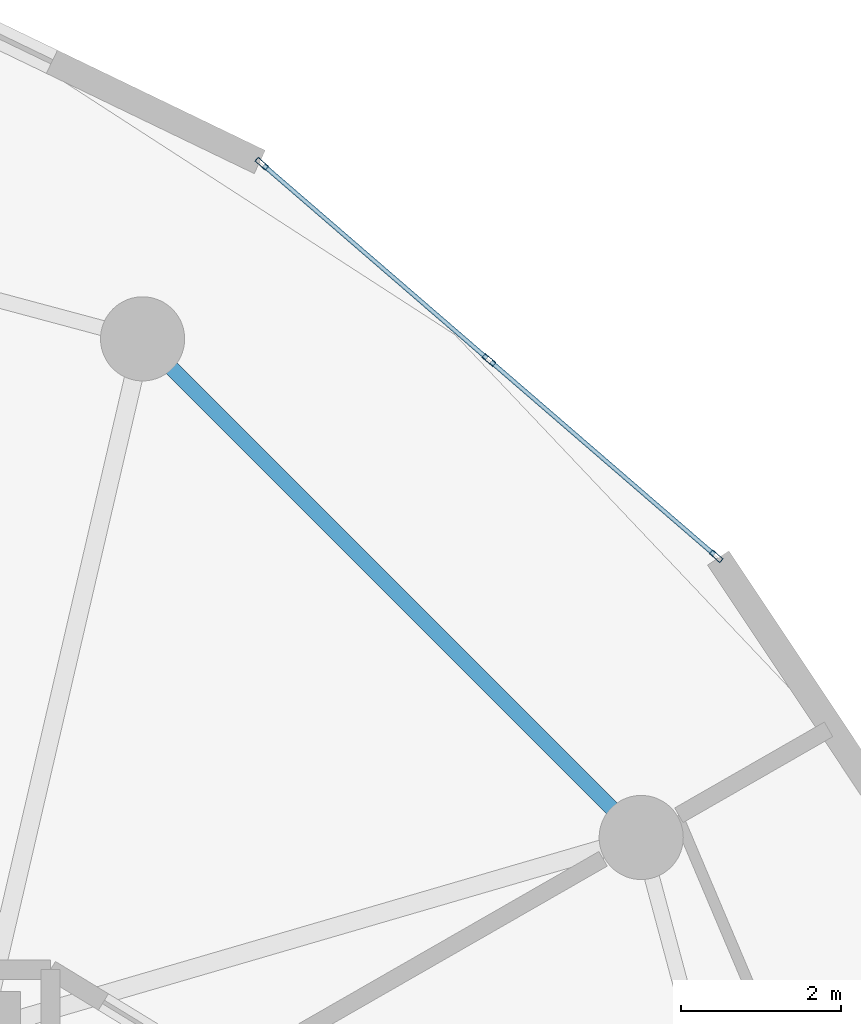
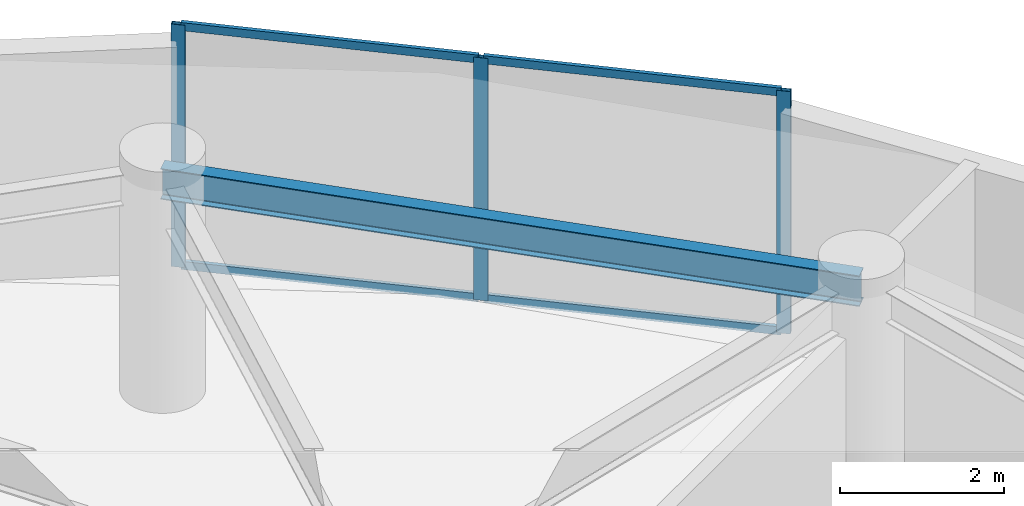
# One storey, part 19 of 26: 7 members, 1 beam, 1 element without a shape of its own.
"""IFC4 building model written with IfcOpenShell, lengths in metres."""

import ifcopenshell
import ifcopenshell.guid

model = None  # the IFC model being written
_history = None  # IfcOwnerHistory: only IFC2X3 demands one
_inside = {}  # id of a spatial element -> (the spatial element, [elements in it])
_under = {}  # id of a project, library or spatial element -> (it, [spatial elements below it])
_declared = {}  # id of a project -> (the project, [libraries it declares])
_typed = {}  # id of a type object -> (the type object, [elements of that type])
_made_of = {}  # id of a material, layer set ... -> (it, [elements and type objects made of it])


def new_model(schema):
    """Start an empty IFC model of exactly this schema.

    Asked for "IFC4X3", IfcOpenShell would pick the latest addendum, in which some entities
    have other attributes; the version numbers below select the first issue.
    IFC2X3 requires an IfcOwnerHistory on every rooted entity: one is made here for all.
    """
    global model, _history
    if schema == "IFC4X3":
        model = ifcopenshell.file(schema_version=(4, 3, 0, 0))
    else:
        model = ifcopenshell.file(schema=schema)
    _inside.clear()
    _under.clear()
    _declared.clear()
    _typed.clear()
    _made_of.clear()
    _history = None
    if model.schema == "IFC2X3":
        org = make("IfcOrganization", Name="unknown")
        user = make(
            "IfcPersonAndOrganization",
            ThePerson=make("IfcPerson", FamilyName="unknown"),
            TheOrganization=org,
        )
        app = make(
            "IfcApplication",
            ApplicationDeveloper=org,
            Version="unknown",
            ApplicationFullName="unknown",
            ApplicationIdentifier="unknown",
        )
        _history = make(
            "IfcOwnerHistory",
            OwningUser=user,
            OwningApplication=app,
            ChangeAction="ADDED",
            CreationDate=0,
        )
    return model


def make(cls, **values):
    """One entity of the class cls with the attributes given. An attribute that is None is left unset."""
    return model.create_entity(
        cls, **{name: value for name, value in values.items() if value is not None}
    )


def rooted(cls, **values):
    """An entity with a GlobalId (a new one), such as an element, a storey or a relation."""
    return make(cls, GlobalId=ifcopenshell.guid.new(), OwnerHistory=_history, **values)


def si_unit(unit_type, name, prefix=None):
    """IfcSIUnit, for example si_unit("LENGTHUNIT", "METRE", prefix="MILLI")."""
    return make("IfcSIUnit", UnitType=unit_type, Prefix=prefix, Name=name)


def assignment(units):
    """IfcUnitAssignment: the units of a project."""
    return None if units is None else make("IfcUnitAssignment", Units=units)


def point(xyz):
    """IfcCartesianPoint."""
    return None if xyz is None else make("IfcCartesianPoint", Coordinates=xyz)


def direction(xyz):
    """IfcDirection."""
    return None if xyz is None else make("IfcDirection", DirectionRatios=xyz)


def frame(location, z_axis=None, x_axis=None):
    """IfcAxis2Placement3D, a coordinate frame: its origin and axes. An axis left out is left unset."""
    return make(
        "IfcAxis2Placement3D",
        Location=point(location),
        Axis=direction(z_axis),
        RefDirection=direction(x_axis),
    )


def frame_2d(location, x_axis=None):
    """IfcAxis2Placement2D, a coordinate frame in the plane: its origin and x axis."""
    return make(
        "IfcAxis2Placement2D", Location=point(location), RefDirection=direction(x_axis)
    )


def origin():
    """The frame at (0, 0, 0) with its axes left unset."""
    return frame((0.0, 0.0, 0.0))


def origin_2d():
    """The frame at (0, 0) in the plane with its x axis left unset."""
    return frame_2d((0.0, 0.0))


def place(relative_to, where):
    """IfcLocalPlacement: puts the frame where relative to a parent placement (None: the world)."""
    return make(
        "IfcLocalPlacement", PlacementRelTo=relative_to, RelativePlacement=where
    )


def context(
    kind, dimensions, precision=None, world=None, true_north=None, identifier=None
):
    """IfcGeometricRepresentationContext, for example the 3D "Model" context."""
    return make(
        "IfcGeometricRepresentationContext",
        ContextIdentifier=identifier,
        ContextType=kind,
        CoordinateSpaceDimension=dimensions,
        Precision=precision,
        WorldCoordinateSystem=world,
        TrueNorth=true_north,
    )


def subcontext(parent, identifier, kind, view, scale=None):
    """IfcGeometricRepresentationSubContext, for example "Body" below "Model"."""
    return make(
        "IfcGeometricRepresentationSubContext",
        ContextIdentifier=identifier,
        ContextType=kind,
        ParentContext=parent,
        TargetScale=scale,
        TargetView=view,
    )


def project(units=None, contexts=None):
    """IfcProject with its units and contexts."""
    return rooted(
        "IfcProject",
        Name="project",
        RepresentationContexts=contexts,
        UnitsInContext=assignment(units),
    )


def spatial(cls, under=None, at=None, **own):
    """A site, building, storey or space (cls), placed at a placement, below another one or the project."""
    s = rooted(cls, ObjectPlacement=at, **own)
    if under is not None:
        _under.setdefault(under.id(), (under, []))[1].append(s)
    return s


def profile(cls, at=None, kind="AREA", **sizes):
    """A parametric profile (cls). Its sizes go by their IFC names, for example OverallWidth=200.0."""
    return make(cls, ProfileType=kind, Position=at, **sizes)


def hollow_rectangle(**sizes):
    """IfcRectangleHollowProfileDef."""
    return profile("IfcRectangleHollowProfileDef", **sizes)


def i_section(**sizes):
    """IfcIShapeProfileDef."""
    return profile("IfcIShapeProfileDef", **sizes)


def extrude(swept, where, along, depth):
    """IfcExtrudedAreaSolid: the profile swept, set in the frame where, extruded along a direction by depth."""
    return make(
        "IfcExtrudedAreaSolid",
        SweptArea=swept,
        Position=where,
        ExtrudedDirection=direction(along),
        Depth=depth,
    )


def shape(context_of_items, identifier, shape_type, items):
    """IfcShapeRepresentation: the items that make up one representation, for example the "Body"."""
    return make(
        "IfcShapeRepresentation",
        ContextOfItems=context_of_items,
        RepresentationIdentifier=identifier,
        RepresentationType=shape_type,
        Items=items,
    )


def source(mapping_origin, context_of_items, identifier, shape_type, items):
    """IfcRepresentationMap: a shape defined once, which mapped items show again and again."""
    return make(
        "IfcRepresentationMap",
        MappingOrigin=mapping_origin,
        MappedRepresentation=shape(context_of_items, identifier, shape_type, items),
    )


def transform(
    local_origin,
    x_axis=None,
    y_axis=None,
    z_axis=None,
    scale=None,
    scale2=None,
    scale3=None,
    uniform=True,
):
    """IfcCartesianTransformationOperator3D, or its non-uniform kind. x_axis, y_axis, z_axis: its Axis1, 2, 3."""
    if uniform:
        return make(
            "IfcCartesianTransformationOperator3D",
            Axis1=direction(x_axis),
            Axis2=direction(y_axis),
            LocalOrigin=point(local_origin),
            Scale=scale,
            Axis3=direction(z_axis),
        )
    return make(
        "IfcCartesianTransformationOperator3DnonUniform",
        Axis1=direction(x_axis),
        Axis2=direction(y_axis),
        LocalOrigin=point(local_origin),
        Scale=scale,
        Axis3=direction(z_axis),
        Scale2=scale2,
        Scale3=scale3,
    )


def mapped(mapping_source, mapping_target):
    """IfcMappedItem: shows the shape of a source again, moved by a transform."""
    return make(
        "IfcMappedItem", MappingSource=mapping_source, MappingTarget=mapping_target
    )


def material(Name=None, Category=None):
    """IfcMaterial."""
    return make("IfcMaterial", Name=Name, Category=Category)


def layer(
    of_material, thickness, ventilated=None, Name=None, Category=None, Priority=None
):
    """IfcMaterialLayer: one layer of a wall or slab, of a material (None: an air gap)."""
    return make(
        "IfcMaterialLayer",
        Material=of_material,
        LayerThickness=thickness,
        IsVentilated=ventilated,
        Name=Name,
        Category=Category,
        Priority=Priority,
    )


def layer_set(layers, Name=None):
    """IfcMaterialLayerSet."""
    return make("IfcMaterialLayerSet", MaterialLayers=layers, LayerSetName=Name)


def material_profile(
    of_material, cross_section, Name=None, Category=None, Priority=None
):
    """IfcMaterialProfile: a cross section and its material."""
    return make(
        "IfcMaterialProfile",
        Name=Name,
        Material=of_material,
        Profile=cross_section,
        Priority=Priority,
        Category=Category,
    )


def profile_set(profiles, Name=None, composite=None):
    """IfcMaterialProfileSet."""
    return make(
        "IfcMaterialProfileSet",
        Name=Name,
        MaterialProfiles=profiles,
        CompositeProfile=composite,
    )


def made_of(thing, what):
    """Note that an element or type object is made of a material, layer set ...; save() writes the relation."""
    if what is not None:
        _made_of.setdefault(what.id(), (what, []))[1].append(thing)
    return thing


def type_object(cls, material=None, **own):
    """A type object (cls), such as IfcWallType, which elements share."""
    return made_of(rooted(cls, **own), material)


def element(
    cls,
    number,
    at=None,
    inside=None,
    cuts=None,
    type_object=None,
    material=None,
    context=None,
    identifier="Body",
    shape_type=None,
    held_by="IfcProductDefinitionShape",
    body=None,
    shapes=None,
    **own,
):
    """One element of the class cls, such as IfcWall. Its Tag is "e" and its number.

    at: its placement. inside: the storey or other place that contains it. cuts: it is an
    opening in that element (IfcRelVoidsElement). A single representation is given by context,
    identifier, shape_type and body (its items); several are given by shapes. held_by: the class
    of the entity that holds the representations. save() writes the other relations.
    """
    e = rooted(cls, Tag="e%d" % number, ObjectPlacement=at, **own)
    if body is not None:
        shapes = [shape(context, identifier, shape_type, body)]
    if shapes is not None:
        e.Representation = make(held_by, Representations=shapes)
    if inside is not None:
        _inside.setdefault(inside.id(), (inside, []))[1].append(e)
    if cuts is not None:
        rooted(
            "IfcRelVoidsElement", RelatingBuildingElement=cuts, RelatedOpeningElement=e
        )
    if type_object is not None:
        _typed.setdefault(type_object.id(), (type_object, []))[1].append(e)
    return made_of(e, material)


def aggregate(whole, parts):
    """IfcRelAggregates: a whole, such as a stair, and the parts it consists of."""
    return rooted("IfcRelAggregates", RelatingObject=whole, RelatedObjects=parts)


def save(model, path):
    """Write the relations noted so far, then the file.

    IfcRelAggregates (storeys below a building ...), IfcRelContainedInSpatialStructure (elements
    in a storey), IfcRelDefinesByType, IfcRelAssociatesMaterial and IfcRelDeclares: one each for
    every whole, place, type object, material and project.
    """
    for whole, parts in _under.values():
        aggregate(whole, parts)
    for where, things in _inside.values():
        rooted(
            "IfcRelContainedInSpatialStructure",
            RelatedElements=things,
            RelatingStructure=where,
        )
    for kind, things in _typed.values():
        rooted("IfcRelDefinesByType", RelatedObjects=things, RelatingType=kind)
    for what, things in _made_of.values():
        rooted("IfcRelAssociatesMaterial", RelatedObjects=things, RelatingMaterial=what)
    for by, libraries in _declared.values():
        rooted("IfcRelDeclares", RelatingContext=by, RelatedDefinitions=libraries)
    model.write(path)


model = new_model("IFC4")

# Units and contexts
model_context = context("Model", 3, precision=1e-05, world=origin(), true_north=direction((0.0, 1.0)))
body_context = subcontext(model_context, "Body", "Model", "MODEL_VIEW")
ifc_project = project(units=[si_unit("LENGTHUNIT", "METRE"), si_unit("AREAUNIT", "SQUARE_METRE"), si_unit("VOLUMEUNIT", "CUBIC_METRE"), si_unit("PLANEANGLEUNIT", "RADIAN"), si_unit("MASSUNIT", "GRAM", prefix="KILO")], contexts=[model_context])

# Site, building, storey
site_placement = place(None, origin())
site = spatial("IfcSite", under=ifc_project, at=site_placement, CompositionType="ELEMENT")
building_placement = place(site_placement, origin())
building = spatial("IfcBuilding", under=site, at=building_placement, Name="Solvirekh Grand Hotel", CompositionType="ELEMENT")
storey_placement = place(building_placement, frame((0.0, 0.0, 113.39990234375)))
storey = spatial("IfcBuildingStorey", under=building, at=storey_placement, Name="L28", CompositionType="ELEMENT", Elevation=113.39990234375)

# Beam
ifc_material_1 = material(Name="Steel S355", Category="steel")
ifc_material_profile_1 = material_profile(ifc_material_1, i_section(OverallWidth=0.18994140625, OverallDepth=0.45703125, WebThickness=0.009033203125, FlangeThickness=0.013916015625, FilletRadius=0.012939453125, at=origin_2d()), Name="W460X74")
ifc_profile_set_1 = profile_set([ifc_material_profile_1], Name="Steel S355")
beam_type = type_object("IfcBeamType", Name="Spandrel_Ring_W460", PredefinedType="SPANDREL", material=ifc_profile_set_1)
beam_placement = place(storey_placement, frame((14.721923828125, 8.5, 3.1220703125), z_axis=(-0.707106781187, 0.707106781187, 0.0), x_axis=(-0.707106781187, -0.707106781187, 0.0)))
element("IfcBeam", 1, at=beam_placement, inside=storey, type_object=beam_type, Name="L28 perimeter spandrel beam 2", PredefinedType="SPANDREL", context=body_context, shape_type="SweptSolid", body=[
    extrude(i_section(OverallWidth=0.18994140625, OverallDepth=0.45703125, WebThickness=0.009033203125, FlangeThickness=0.013916015625, FilletRadius=0.012939453125, at=origin_2d()), origin(), (0.0, 0.0, 1.0), 8.799072265625),
])

# Curtain wall, members
ifc_material_2 = material(Name="Anodized Bronze Aluminium 6063-T6", Category="aluminium")
ifc_layer = layer(ifc_material_2, 0.175048828125)
ifc_layer_set = layer_set([ifc_layer], Name="Anodized Bronze Aluminium 6063-T6")
curtain_wall_type = type_object("IfcCurtainWallType", Name="CW_Sys3_MidZoneFlushBronzeCW", PredefinedType="NOTDEFINED", material=ifc_layer_set)
curtain_wall_placement = place(storey_placement, origin())
curtain_wall = element("IfcCurtainWall", 2, at=curtain_wall_placement, inside=storey, type_object=curtain_wall_type, Name="L28 unitised bronze-glass curtain wall CW-L28-C05", PredefinedType="NOTDEFINED")
ifc_material_profile_2 = material_profile(ifc_material_2, hollow_rectangle(XDim=0.06494140625, YDim=0.175048828125, WallThickness=0.0048828125, at=origin_2d()), Name="ALU RHS 175X65X5")
ifc_profile_set_2 = profile_set([ifc_material_profile_2], Name="Anodized Bronze Aluminium 6063-T6")
member_type_1 = type_object("IfcMemberType", Name="CWMullion_Sys3", PredefinedType="MULLION", material=ifc_profile_set_2)
shared_shape_1 = source(origin(), body_context, "Body", "SweptSolid", [
    extrude(hollow_rectangle(XDim=0.06494140625, YDim=0.175048828125, WallThickness=0.0048828125, at=origin_2d()), origin(), (0.0, 0.0, 1.0), 3.60009765625),
])
member_1_placement = place(storey_placement, frame((15.658447265625, 12.00927734375, 0.0), z_axis=(0.0, 0.0, 1.0), x_axis=(-0.653630202765, -0.756814084193, 0.0)))
member_1 = element("IfcMember", 3, at=member_1_placement, type_object=member_type_1, Name="U03 mullion 1", PredefinedType="MULLION", context=body_context, shape_type="MappedRepresentation", body=[
    mapped(shared_shape_1, transform((0.0, 0.0, 0.0), x_axis=(1.0, 0.0, 0.0), y_axis=(0.0, 1.0, 0.0), z_axis=(0.0, 0.0, 1.0), scale=1.0)),
])
member_2_placement = place(storey_placement, frame((12.822509765625, 14.45849609375, 0.0), z_axis=(0.0, 0.0, 1.0), x_axis=(-0.653630202765, -0.756814084193, 0.0)))
member_2 = element("IfcMember", 4, at=member_2_placement, type_object=member_type_1, Name="U03 mullion 2", PredefinedType="MULLION", context=body_context, shape_type="MappedRepresentation", body=[
    mapped(shared_shape_1, transform((0.0, 0.0, 0.0), x_axis=(1.0, 0.0, 0.0), y_axis=(0.0, 1.0, 0.0), z_axis=(0.0, 0.0, 1.0), scale=1.0)),
])
member_3_placement = place(storey_placement, frame((9.986572265625, 16.90771484375, 0.0), z_axis=(0.0, 0.0, 1.0), x_axis=(-0.653630202765, -0.756814084193, 0.0)))
member_3 = element("IfcMember", 5, at=member_3_placement, type_object=member_type_1, Name="U03 mullion 3", PredefinedType="MULLION", context=body_context, shape_type="MappedRepresentation", body=[
    mapped(shared_shape_1, transform((0.0, 0.0, 0.0), x_axis=(1.0, 0.0, 0.0), y_axis=(0.0, 1.0, 0.0), z_axis=(0.0, 0.0, 1.0), scale=1.0)),
])
ifc_material_profile_3 = material_profile(ifc_material_2, hollow_rectangle(XDim=0.054931640625, YDim=0.1201171875, WallThickness=0.00390625, at=origin_2d()), Name="ALU RHS 120X55X4")
ifc_profile_set_3 = profile_set([ifc_material_profile_3], Name="Anodized Bronze Aluminium 6063-T6")
member_type_2 = type_object("IfcMemberType", Name="CWTransom_Sys3", PredefinedType="USERDEFINED", material=ifc_profile_set_3)
shared_shape_2 = source(origin(), body_context, "Body", "SweptSolid", [
    extrude(hollow_rectangle(XDim=0.054931640625, YDim=0.1201171875, WallThickness=0.00390625, at=origin_2d()), origin(), (0.0, 0.0, 1.0), 3.68212890625),
])
member_4_placement = place(storey_placement, frame((15.6337890625, 12.030517578125, 0.027587890625), z_axis=(-0.7568080987, 0.653637133081, 0.0), x_axis=(-0.653637133081, -0.7568080987, 0.0)))
member_4 = element("IfcMember", 6, at=member_4_placement, type_object=member_type_2, Name="U03 transom 1.1", ObjectType="TRANSOM", PredefinedType="USERDEFINED", context=body_context, shape_type="MappedRepresentation", body=[
    mapped(shared_shape_2, transform((0.0, 0.0, 0.0), x_axis=(1.0, 0.0, 0.0), y_axis=(0.0, 1.0, 0.0), z_axis=(0.0, 0.0, 1.0), scale=1.0)),
])
member_5_placement = place(storey_placement, frame((15.6337890625, 12.030517578125, 3.572509765625), z_axis=(-0.7568080987, 0.653637133081, 0.0), x_axis=(-0.653637133081, -0.7568080987, 0.0)))
member_5 = element("IfcMember", 7, at=member_5_placement, type_object=member_type_2, Name="U03 transom 1.2", ObjectType="TRANSOM", PredefinedType="USERDEFINED", context=body_context, shape_type="MappedRepresentation", body=[
    mapped(shared_shape_2, transform((0.0, 0.0, 0.0), x_axis=(1.0, 0.0, 0.0), y_axis=(0.0, 1.0, 0.0), z_axis=(0.0, 0.0, 1.0), scale=1.0)),
])
member_6_placement = place(storey_placement, frame((12.7978515625, 14.479736328125, 0.027587890625), z_axis=(-0.7568080987, 0.653637133081, 0.0), x_axis=(-0.653637133081, -0.7568080987, 0.0)))
member_6 = element("IfcMember", 8, at=member_6_placement, type_object=member_type_2, Name="U03 transom 2.1", ObjectType="TRANSOM", PredefinedType="USERDEFINED", context=body_context, shape_type="MappedRepresentation", body=[
    mapped(shared_shape_2, transform((0.0, 0.0, 0.0), x_axis=(1.0, 0.0, 0.0), y_axis=(0.0, 1.0, 0.0), z_axis=(0.0, 0.0, 1.0), scale=1.0)),
])
member_7_placement = place(storey_placement, frame((12.7978515625, 14.479736328125, 3.572509765625), z_axis=(-0.7568080987, 0.653637133081, 0.0), x_axis=(-0.653637133081, -0.7568080987, 0.0)))
member_7 = element("IfcMember", 9, at=member_7_placement, type_object=member_type_2, Name="U03 transom 2.2", ObjectType="TRANSOM", PredefinedType="USERDEFINED", context=body_context, shape_type="MappedRepresentation", body=[
    mapped(shared_shape_2, transform((0.0, 0.0, 0.0), x_axis=(1.0, 0.0, 0.0), y_axis=(0.0, 1.0, 0.0), z_axis=(0.0, 0.0, 1.0), scale=1.0)),
])
aggregate(curtain_wall, [member_1, member_2, member_3, member_4, member_5, member_6, member_7])

save(model, "model.ifc")
